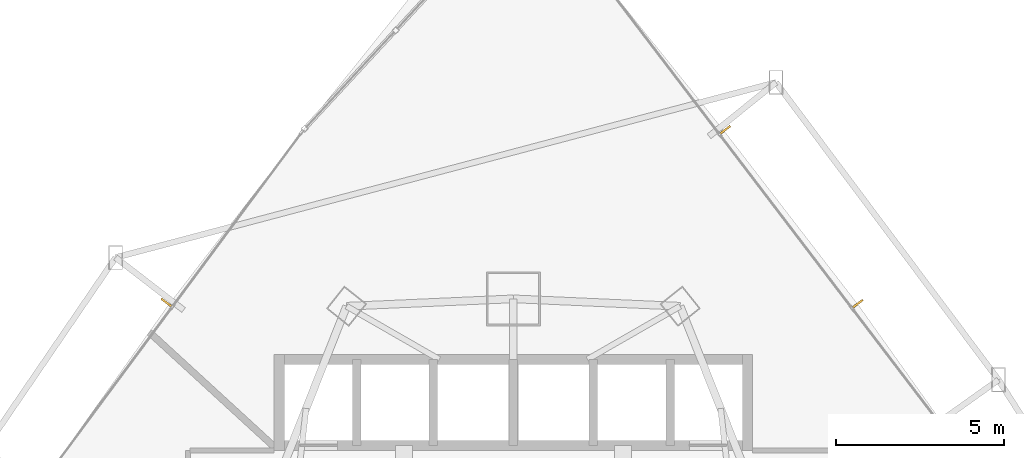
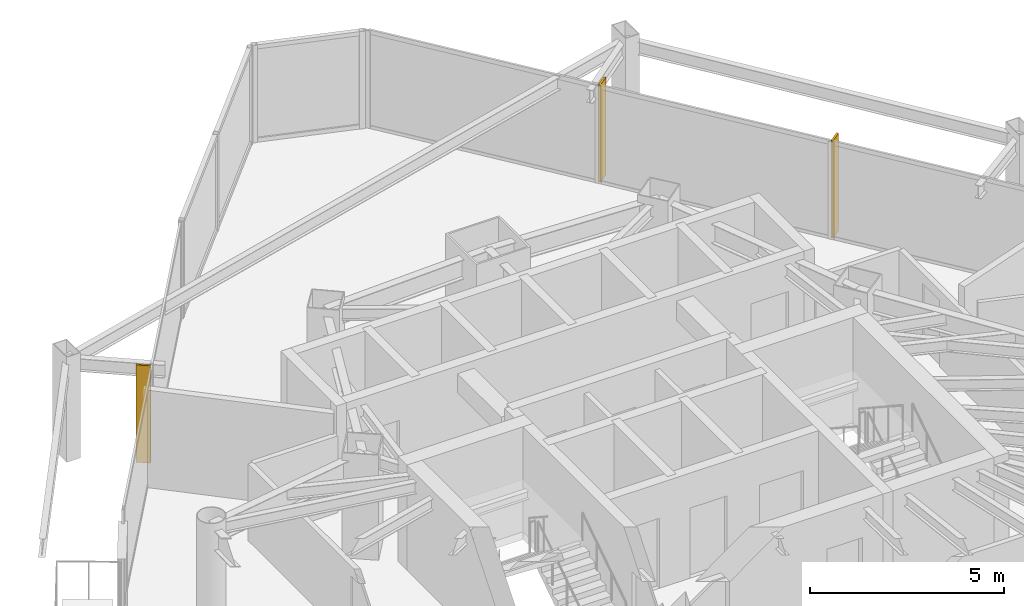
# One storey, part 35 of 35: 3 shading devices.
"""IFC4 building model written with IfcOpenShell, lengths in metres."""

from ifc_helpers import new_model, si_unit, direction, frame, origin, origin_2d, place, context, subcontext, project, spatial, rectangle, extrude, material, layer, layer_set, type_object, element, save


model = new_model("IFC4")

# Units and contexts
model_context = context("Model", 3, precision=1e-05, world=origin(), true_north=direction((0.0, 1.0)))
body_context = subcontext(model_context, "Body", "Model", "MODEL_VIEW")
ifc_project = project(units=[si_unit("LENGTHUNIT", "METRE"), si_unit("AREAUNIT", "SQUARE_METRE"), si_unit("VOLUMEUNIT", "CUBIC_METRE"), si_unit("PLANEANGLEUNIT", "RADIAN"), si_unit("MASSUNIT", "GRAM", prefix="KILO")], contexts=[model_context])

# Site, building, storey
site_placement = place(None, origin())
site = spatial("IfcSite", under=ifc_project, at=site_placement, CompositionType="ELEMENT")
building_placement = place(site_placement, origin())
building = spatial("IfcBuilding", under=site, at=building_placement, Name="Orvanel Arch Residences", CompositionType="ELEMENT")
storey_placement = place(building_placement, frame((0.0, 0.0, 36.800048828125)))
storey = spatial("IfcBuildingStorey", under=building, at=storey_placement, Name="L09", CompositionType="ELEMENT", Elevation=36.800048828125)

# Shading devices
ifc_material = material(Name="Bronze-anodised aluminium AA6063-T6", Category="aluminium")
ifc_layer = layer(ifc_material, 0.06005859375)
ifc_layer_set = layer_set([ifc_layer], Name="Bronze-anodised aluminium AA6063-T6")
shading_device_type = type_object("IfcShadingDeviceType", Name="FIN-BRZ-380", PredefinedType="USERDEFINED", material=ifc_layer_set)
for number, where, z_axis, x_axis, name in (
    (1, (22.699951171875, 41.2890625, 0.0), (0.0, 0.0, 1.0), (-0.803856860617, 0.594822786751, 0.0), "L09 Anodised Bronze Mullion FIN 01"),
    (2, (43.219970703125, 41.251953125, 0.0), (0.0, 0.0, 1.0), (0.795473480855, 0.605988400266, 0.0), "L09 Anodised Bronze Mullion FIN 01"),
    (3, (39.2880859375, 46.4130859375, 0.0), (0.0, 0.0, 1.0), (0.795473480855, 0.605988400266, 0.0), "L09 Anodised Bronze Mullion FIN 02"),
):
    element("IfcShadingDevice", number, at=place(storey_placement, frame(where, z_axis=z_axis, x_axis=x_axis)), inside=storey, type_object=shading_device_type, Name=name, ObjectType="FIN", PredefinedType="USERDEFINED", context=body_context, shape_type="SweptSolid", body=[
        extrude(rectangle(XDim=0.3798828125, YDim=0.06005859375, at=origin_2d()), origin(), (0.0, 0.0, 1.0), 3.06005859375),
    ])

save(model, "model.ifc")
